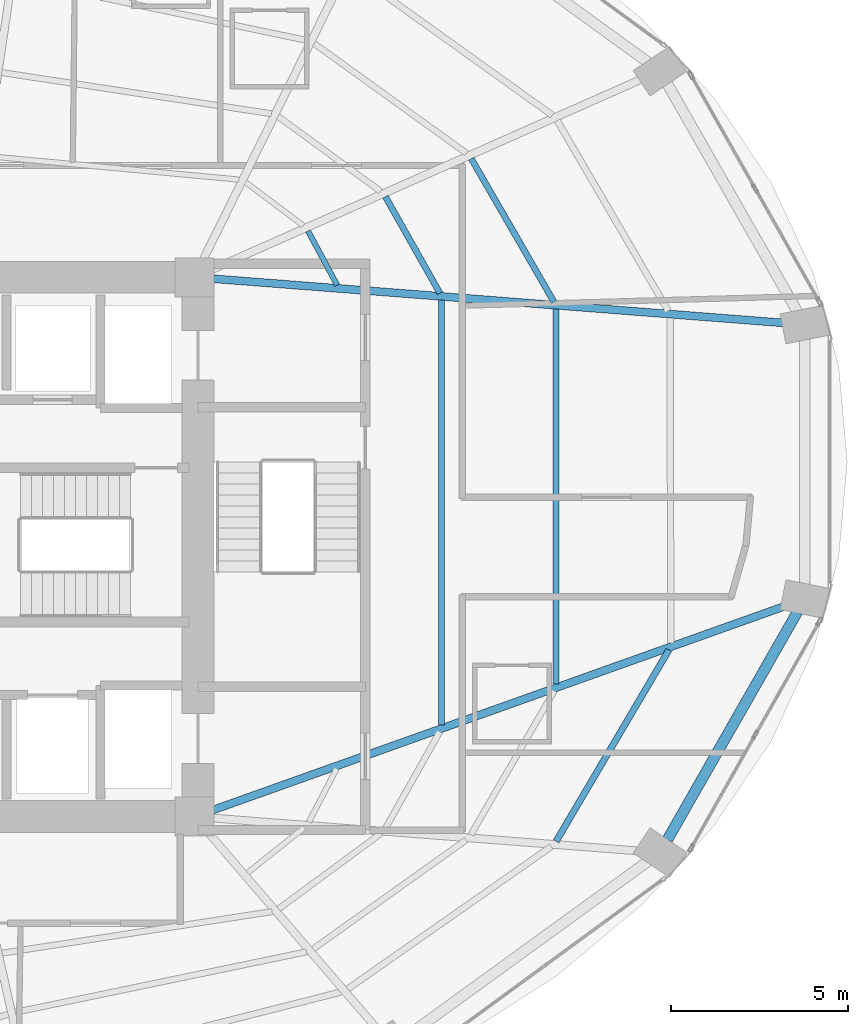
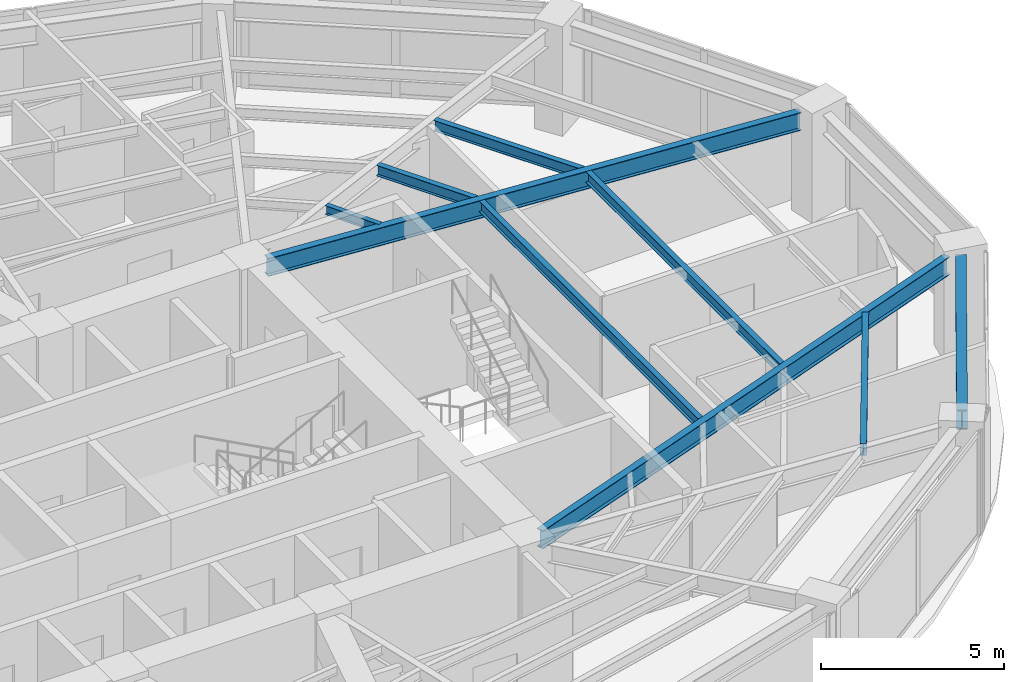
# One storey, part 11 of 25: 9 beams.
"""IFC4 building model written with IfcOpenShell, lengths in metres."""

from ifc_helpers import new_model, si_unit, direction, frame, origin, origin_2d, place, context, subcontext, project, spatial, i_section, extrude, material, material_profile, profile_set, type_object, element, save


model = new_model("IFC4")

# Units and contexts
model_context = context("Model", 3, precision=1e-05, world=origin(), true_north=direction((0.0, 1.0)))
body_context = subcontext(model_context, "Body", "Model", "MODEL_VIEW")
ifc_project = project(units=[si_unit("LENGTHUNIT", "METRE"), si_unit("AREAUNIT", "SQUARE_METRE"), si_unit("VOLUMEUNIT", "CUBIC_METRE"), si_unit("PLANEANGLEUNIT", "RADIAN"), si_unit("MASSUNIT", "GRAM", prefix="KILO")], contexts=[model_context])

# Site, building, storey
site_placement = place(None, origin())
site = spatial("IfcSite", under=ifc_project, at=site_placement, CompositionType="ELEMENT")
building_placement = place(site_placement, origin())
building = spatial("IfcBuilding", under=site, at=building_placement, Name="Lazwardi Medical Tower", CompositionType="ELEMENT")
storey_placement = place(building_placement, frame((0.0, 0.0, 32.49609375)))
storey = spatial("IfcBuildingStorey", under=building, at=storey_placement, Name="L07", CompositionType="ELEMENT", Elevation=32.49609375)

# Beams
ifc_material = material(Name="Steel S355", Category="steel")
ifc_material_profile_1 = material_profile(ifc_material, i_section(OverallWidth=0.300048828125, OverallDepth=0.64990234375, WebThickness=0.01611328125, FlangeThickness=0.031005859375, at=origin_2d()), Name="HEB 650")
ifc_profile_set_1 = profile_set([ifc_material_profile_1], Name="Steel S355")
beam_type_1 = type_object("IfcBeamType", Name="BM-RB-Z1", PredefinedType="BEAM", material=ifc_profile_set_1)
beam_1_placement = place(storey_placement, frame((58.927978515625, 19.75048828125, 3.10302734375), z_axis=(0.495829348644, 0.868419977328, 0.0), x_axis=(-0.868419977328, 0.495829348644, 0.0)))
element("IfcBeam", 1, at=beam_1_placement, inside=storey, type_object=beam_type_1, Name="Ring beam RB-02 B03 L07", PredefinedType="BEAM", context=body_context, shape_type="SweptSolid", body=[
    extrude(i_section(OverallWidth=0.300048828125, OverallDepth=0.64990234375, WebThickness=0.01611328125, FlangeThickness=0.031005859375, at=origin_2d()), origin(), (0.0, 0.0, 1.0), 7.38916015625),
])
ifc_material_profile_2 = material_profile(ifc_material, i_section(OverallWidth=0.219970703125, OverallDepth=0.60009765625, WebThickness=0.011962890625, FlangeThickness=0.01904296875, at=origin_2d()), Name="IPE 600")
ifc_profile_set_2 = profile_set([ifc_material_profile_2], Name="Steel S355")
beam_type_2 = type_object("IfcBeamType", Name="BM-RG-W1", PredefinedType="BEAM", material=ifc_profile_set_2)
beam_2_placement = place(storey_placement, frame((62.253662109375, 26.33740234375, 3.1279296875), z_axis=(-0.941925080425, -0.335823082688, 0.0), x_axis=(0.335823082688, -0.941925080425, 0.0)))
element("IfcBeam", 2, at=beam_2_placement, inside=storey, type_object=beam_type_2, Name="Radial girder RG-02 R04 L07", PredefinedType="BEAM", context=body_context, shape_type="SweptSolid", body=[
    extrude(i_section(OverallWidth=0.219970703125, OverallDepth=0.60009765625, WebThickness=0.011962890625, FlangeThickness=0.01904296875, at=origin_2d()), origin(), (0.0, 0.0, 1.0), 17.145263671875),
])
beam_3_placement = place(storey_placement, frame((62.2216796875, 34.3125, 3.1279296875), z_axis=(-0.997013942066, 0.077221754231, 0.0), x_axis=(-0.077221754231, -0.997013942066, 0.0)))
element("IfcBeam", 3, at=beam_3_placement, inside=storey, type_object=beam_type_2, Name="Radial girder RG-02 R05 L07", PredefinedType="BEAM", context=body_context, shape_type="SweptSolid", body=[
    extrude(i_section(OverallWidth=0.219970703125, OverallDepth=0.60009765625, WebThickness=0.011962890625, FlangeThickness=0.01904296875, at=origin_2d()), origin(), (0.0, 0.0, 1.0), 16.136474609375),
])
ifc_material_profile_3 = material_profile(ifc_material, i_section(OverallWidth=0.179931640625, OverallDepth=0.39990234375, WebThickness=0.008544921875, FlangeThickness=0.013427734375, at=origin_2d()), Name="IPE 400")
ifc_profile_set_3 = profile_set([ifc_material_profile_3], Name="Steel S355")
beam_type_3 = type_object("IfcBeamType", Name="BM-SJ-01", PredefinedType="JOIST", material=ifc_profile_set_3)
beam_4_placement = place(storey_placement, frame((55.793212890625, 19.70654296875, 3.22802734375), z_axis=(0.507886270937, 0.861424132349, 0.0), x_axis=(-0.861424132349, 0.507886270937, 0.0)))
element("IfcBeam", 4, at=beam_4_placement, inside=storey, type_object=beam_type_3, Name="Secondary joist SJ-01 R1 B03 L07", PredefinedType="JOIST", context=body_context, shape_type="SweptSolid", body=[
    extrude(i_section(OverallWidth=0.179931640625, OverallDepth=0.39990234375, WebThickness=0.008544921875, FlangeThickness=0.013427734375, at=origin_2d()), origin(), (0.0, 0.0, 1.0), 6.255859375),
])
ifc_material_profile_4 = material_profile(ifc_material, i_section(OverallWidth=0.169921875, OverallDepth=0.360107421875, WebThickness=0.008056640625, FlangeThickness=0.0126953125, at=origin_2d()), Name="IPE 360")
ifc_profile_set_4 = profile_set([ifc_material_profile_4], Name="Steel S355")
beam_type_4 = type_object("IfcBeamType", Name="BM-SJ-02", PredefinedType="JOIST", material=ifc_profile_set_4)
beam_5_placement = place(storey_placement, frame((55.793701171875, 24.139404296875, 3.247802734375), z_axis=(-0.000670039821, 0.999999775523, 0.0), x_axis=(-0.999999775523, -0.000670039821, 0.0)))
element("IfcBeam", 5, at=beam_5_placement, inside=storey, type_object=beam_type_4, Name="Secondary joist SJ-02 R2 B04 L07", PredefinedType="JOIST", context=body_context, shape_type="SweptSolid", body=[
    extrude(i_section(OverallWidth=0.169921875, OverallDepth=0.360107421875, WebThickness=0.008056640625, FlangeThickness=0.0126953125, at=origin_2d()), origin(), (0.0, 0.0, 1.0), 10.566650390625),
])
beam_6_placement = place(storey_placement, frame((55.73388671875, 34.90185546875, 3.247802734375), z_axis=(-0.499785866494, 0.866148998529, 0.0), x_axis=(-0.866148998529, -0.499785866494, 0.0)))
element("IfcBeam", 6, at=beam_6_placement, inside=storey, type_object=beam_type_4, Name="Secondary joist SJ-02 R2 B05 L07", PredefinedType="JOIST", context=body_context, shape_type="SweptSolid", body=[
    extrude(i_section(OverallWidth=0.169921875, OverallDepth=0.360107421875, WebThickness=0.008056640625, FlangeThickness=0.0126953125, at=origin_2d()), origin(), (0.0, 0.0, 1.0), 4.666015625),
])
beam_7_placement = place(storey_placement, frame((52.56396484375, 22.98779296875, 3.247802734375), z_axis=(0.000387612685, 0.999999924878, 0.0), x_axis=(-0.999999924878, 0.000387612685, 0.0)))
element("IfcBeam", 7, at=beam_7_placement, inside=storey, type_object=beam_type_4, Name="Secondary joist SJ-02 R3 B04 L07", PredefinedType="JOIST", context=body_context, shape_type="SweptSolid", body=[
    extrude(i_section(OverallWidth=0.169921875, OverallDepth=0.360107421875, WebThickness=0.008056640625, FlangeThickness=0.0126953125, at=origin_2d()), origin(), (0.0, 0.0, 1.0), 11.96728515625),
])
beam_8_placement = place(storey_placement, frame((52.51708984375, 35.151611328125, 3.247802734375), z_axis=(-0.491923287977, 0.870638546554, 0.0), x_axis=(-0.870638546554, -0.491923287977, 0.0)))
element("IfcBeam", 8, at=beam_8_placement, inside=storey, type_object=beam_type_4, Name="Secondary joist SJ-02 R3 B05 L07", PredefinedType="JOIST", context=body_context, shape_type="SweptSolid", body=[
    extrude(i_section(OverallWidth=0.169921875, OverallDepth=0.360107421875, WebThickness=0.008056640625, FlangeThickness=0.0126953125, at=origin_2d()), origin(), (0.0, 0.0, 1.0), 3.122802734375),
])
ifc_material_profile_5 = material_profile(ifc_material, i_section(OverallWidth=0.14990234375, OverallDepth=0.300048828125, WebThickness=0.007080078125, FlangeThickness=0.0107421875, at=origin_2d()), Name="IPE 300")
ifc_profile_set_5 = profile_set([ifc_material_profile_5], Name="Steel S355")
beam_type_5 = type_object("IfcBeamType", Name="BM-SJ-03", PredefinedType="JOIST", material=ifc_profile_set_5)
beam_9_placement = place(storey_placement, frame((49.623046875, 35.376953125, 3.27783203125), z_axis=(-0.473982292828, 0.880534375301, 0.0), x_axis=(-0.880534375301, -0.473982292828, 0.0)))
element("IfcBeam", 9, at=beam_9_placement, inside=storey, type_object=beam_type_5, Name="Secondary joist SJ-03 R4 B05 L07", PredefinedType="JOIST", context=body_context, shape_type="SweptSolid", body=[
    extrude(i_section(OverallWidth=0.14990234375, OverallDepth=0.300048828125, WebThickness=0.007080078125, FlangeThickness=0.0107421875, at=origin_2d()), origin(), (0.0, 0.0, 1.0), 1.734375),
])

save(model, "model.ifc")
